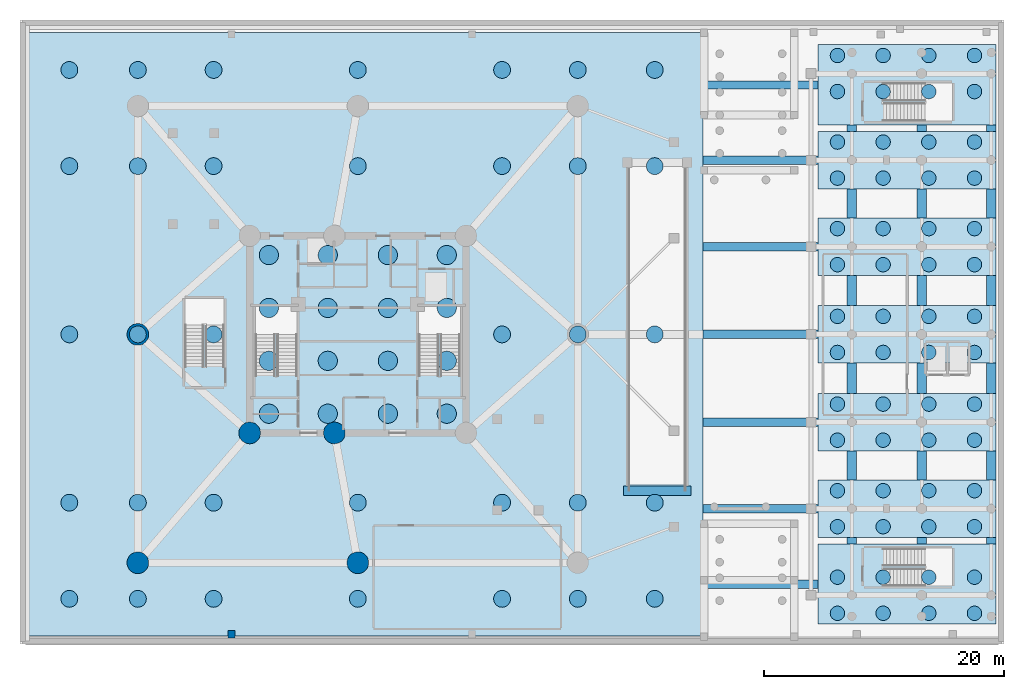
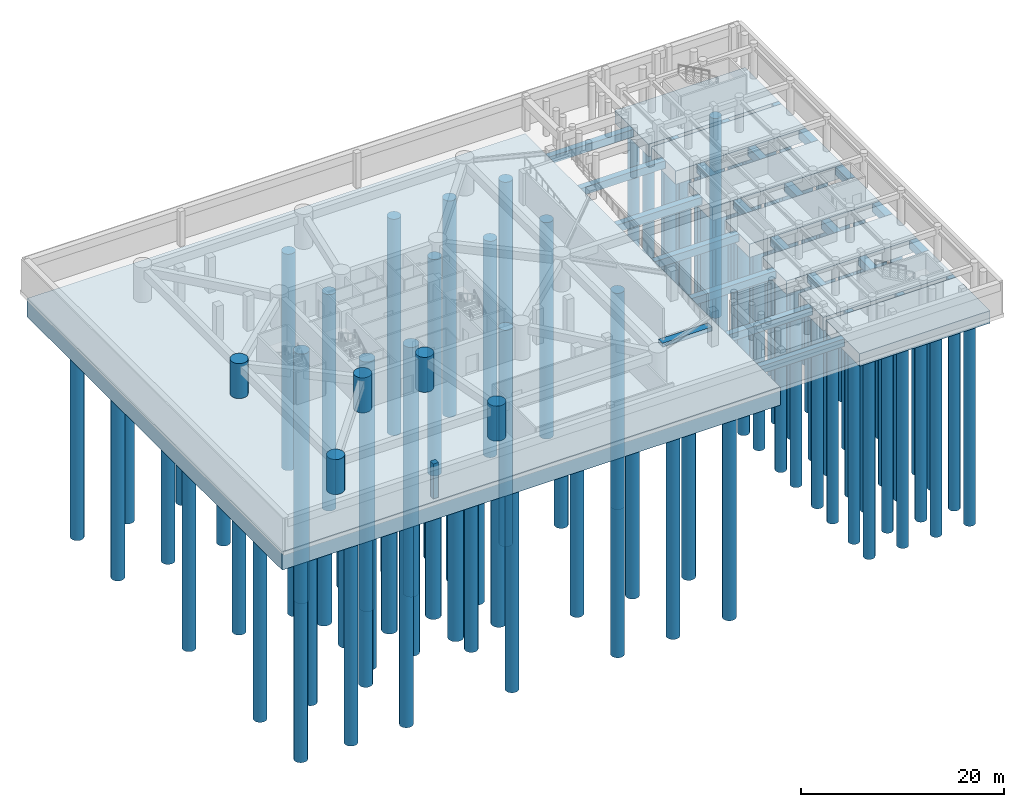
# One storey, part 1 of 13: 106 piles, 34 footings, 6 columns.
"""IFC4 building model written with IfcOpenShell, lengths in metres."""

from ifc_helpers import new_model, si_unit, direction, frame, origin, origin_with_axes, origin_2d, place, context, subcontext, project, spatial, polyline, rectangle, circle, outline, extrude, source, transform, mapped, material, layer, layer_set, material_profile, profile_set, type_object, element, save


model = new_model("IFC4")

# Units and contexts
model_context = context("Model", 3, precision=1e-05, world=origin(), true_north=direction((0.0, 1.0)))
body_context = subcontext(model_context, "Body", "Model", "MODEL_VIEW")
ifc_project = project(units=[si_unit("LENGTHUNIT", "METRE"), si_unit("AREAUNIT", "SQUARE_METRE"), si_unit("VOLUMEUNIT", "CUBIC_METRE"), si_unit("PLANEANGLEUNIT", "RADIAN"), si_unit("MASSUNIT", "GRAM", prefix="KILO")], contexts=[model_context])

# Site, building, storey
site_placement = place(None, origin())
site = spatial("IfcSite", under=ifc_project, at=site_placement, CompositionType="ELEMENT")
building_placement = place(site_placement, origin())
building = spatial("IfcBuilding", under=site, at=building_placement, Name="Karkom Vertical University and Central Library", CompositionType="ELEMENT")
storey_placement = place(building_placement, frame((0.0, 0.0, -8.39990234375)))
storey = spatial("IfcBuildingStorey", under=building, at=storey_placement, Name="B02", CompositionType="ELEMENT", Elevation=-8.39990234375)

# Footings
ifc_material_1 = material(Name="Concrete C45/55", Category="concrete")
ifc_layer_1 = layer(ifc_material_1, 1.60009765625)
ifc_layer_set_1 = layer_set([ifc_layer_1], Name="Concrete C45/55")
footing_type_1 = type_object("IfcFootingType", Name="STR-FT-PC1-1600", PredefinedType="PILE_CAP", material=ifc_layer_set_1)
footing_1_placement = place(storey_placement, frame((0.0, 0.0, -2.050048828125)))
element("IfcFooting", 1, at=footing_1_placement, inside=storey, type_object=footing_type_1, Name="Library Combined Pile Cap 02", PredefinedType="PILE_CAP", context=body_context, shape_type="SweptSolid", body=[
    extrude(outline(polyline([(66.800048828125, 9.60009765625), (81.60009765625, 9.60009765625), (81.60009765625, 14.39990234375), (66.800048828125, 14.39990234375), (66.800048828125, 9.60009765625)])), origin(), (0.0, 0.0, 1.0), 1.599853515625),
])
footing_2_placement = place(storey_placement, frame((0.0, 0.0, -2.050048828125)))
element("IfcFooting", 2, at=footing_2_placement, inside=storey, type_object=footing_type_1, Name="Library Combined Pile Cap 03", PredefinedType="PILE_CAP", context=body_context, shape_type="SweptSolid", body=[
    extrude(outline(polyline([(66.800048828125, 16.800048828125), (81.60009765625, 16.800048828125), (81.60009765625, 21.60009765625), (66.800048828125, 21.60009765625), (66.800048828125, 16.800048828125)])), origin(), (0.0, 0.0, 1.0), 1.599853515625),
])
footing_3_placement = place(storey_placement, frame((0.0, 0.0, -2.050048828125)))
element("IfcFooting", 3, at=footing_3_placement, inside=storey, type_object=footing_type_1, Name="Library Combined Pile Cap 04", PredefinedType="PILE_CAP", context=body_context, shape_type="SweptSolid", body=[
    extrude(outline(polyline([(66.800048828125, 24.10009765625), (81.60009765625, 24.10009765625), (81.60009765625, 28.89990234375), (66.800048828125, 28.89990234375), (66.800048828125, 24.10009765625)])), origin(), (0.0, 0.0, 1.0), 1.599853515625),
])
footing_4_placement = place(storey_placement, frame((0.0, 0.0, -2.050048828125)))
element("IfcFooting", 4, at=footing_4_placement, inside=storey, type_object=footing_type_1, Name="Library Combined Pile Cap 05", PredefinedType="PILE_CAP", context=body_context, shape_type="SweptSolid", body=[
    extrude(outline(polyline([(66.800048828125, 31.39990234375), (81.60009765625, 31.39990234375), (81.60009765625, 36.199951171875), (66.800048828125, 36.199951171875), (66.800048828125, 31.39990234375)])), origin(), (0.0, 0.0, 1.0), 1.599853515625),
])
footing_5_placement = place(storey_placement, frame((0.0, 0.0, -2.050048828125)))
element("IfcFooting", 5, at=footing_5_placement, inside=storey, type_object=footing_type_1, Name="Library Combined Pile Cap 06", PredefinedType="PILE_CAP", context=body_context, shape_type="SweptSolid", body=[
    extrude(outline(polyline([(66.800048828125, 38.60009765625), (81.60009765625, 38.60009765625), (81.60009765625, 43.39990234375), (66.800048828125, 43.39990234375), (66.800048828125, 38.60009765625)])), origin(), (0.0, 0.0, 1.0), 1.599853515625),
])
ifc_layer_2 = layer(ifc_material_1, 1.5)
ifc_layer_set_2 = layer_set([ifc_layer_2], Name="Concrete C45/55")
footing_type_2 = type_object("IfcFootingType", Name="STR-FT-PC2-1500", PredefinedType="PILE_CAP", material=ifc_layer_set_2)
footing_6_placement = place(storey_placement, frame((0.0, 0.0, -1.9501953125)))
element("IfcFooting", 6, at=footing_6_placement, inside=storey, type_object=footing_type_2, Name="Library Combined Pile Cap 01", PredefinedType="PILE_CAP", context=body_context, shape_type="SweptSolid", body=[
    extrude(outline(polyline([(66.800048828125, 2.39990234375), (81.60009765625, 2.39990234375), (81.60009765625, 9.050048828125), (66.800048828125, 9.050048828125), (66.800048828125, 2.39990234375)])), origin(), (0.0, 0.0, 1.0), 1.5),
])
footing_7_placement = place(storey_placement, frame((0.0, 0.0, -1.9501953125)))
element("IfcFooting", 7, at=footing_7_placement, inside=storey, type_object=footing_type_2, Name="Library Combined Pile Cap 07", PredefinedType="PILE_CAP", context=body_context, shape_type="SweptSolid", body=[
    extrude(outline(polyline([(66.800048828125, 43.89990234375), (81.60009765625, 43.89990234375), (81.60009765625, 50.60009765625), (66.800048828125, 50.60009765625), (66.800048828125, 43.89990234375)])), origin(), (0.0, 0.0, 1.0), 1.5),
])
ifc_material_2 = material(Name="Concrete C50/60", Category="concrete")
ifc_layer_3 = layer(ifc_material_2, 2.199951171875)
ifc_layer_set_3 = layer_set([ifc_layer_3], Name="Concrete C50/60")
footing_type_3 = type_object("IfcFootingType", Name="STR-FT-RAFT-2200", PredefinedType="CAISSON_FOUNDATION", material=ifc_layer_set_3)
footing_8_placement = place(storey_placement, frame((0.0, 0.0, -2.650146484375)))
element("IfcFooting", 8, at=footing_8_placement, inside=storey, type_object=footing_type_3, Name="Tower Cellular Piled Raft FT-1", PredefinedType="CAISSON_FOUNDATION", context=body_context, shape_type="SweptSolid", body=[
    extrude(outline(polyline([(0.60009765625, 1.39990234375), (57.199951171875, 1.39990234375), (57.199951171875, 51.60009765625), (0.60009765625, 51.60009765625), (0.60009765625, 1.39990234375)])), origin(), (0.0, 0.0, 1.0), 2.199951171875),
])

# Piles
ifc_material_3 = material(Name="Concrete C40/50", Category="concrete")
ifc_material_profile_1 = material_profile(ifc_material_3, circle(Radius=0.800048828125, at=origin_2d()), Name="PILE-D1600")
ifc_profile_set_1 = profile_set([ifc_material_profile_1], Name="Concrete C40/50")
pile_type_1 = type_object("IfcPileType", Name="STR-PILE-PL-1", PredefinedType="BORED", material=ifc_profile_set_1)
shared_shape_1 = source(origin_with_axes(), body_context, "Body", "SweptSolid", [
    extrude(circle(Radius=0.800048828125, at=origin_2d()), origin(), (0.0, 0.0, 1.0), 30.0),
])
for number, where, z_axis, x_axis, name in (
    (9, (21.10009765625, 19.89990234375, -2.550048828125), (0.0, 0.0, -1.0), (1.0, 0.0, 0.0), "Tower Core Bored Pile PL-1-01"),
    (10, (21.10009765625, 24.300048828125, -2.550048828125), (0.0, 0.0, -1.0), (1.0, 0.0, 0.0), "Tower Core Bored Pile PL-1-02"),
    (11, (21.10009765625, 28.699951171875, -2.550048828125), (0.0, 0.0, -1.0), (1.0, 0.0, 0.0), "Tower Core Bored Pile PL-1-03"),
    (12, (21.10009765625, 33.10009765625, -2.550048828125), (0.0, 0.0, -1.0), (1.0, 0.0, 0.0), "Tower Core Bored Pile PL-1-04"),
    (13, (26.0, 19.89990234375, -2.550048828125), (0.0, 0.0, -1.0), (1.0, 0.0, 0.0), "Tower Core Bored Pile PL-1-05"),
    (14, (26.0, 24.300048828125, -2.550048828125), (0.0, 0.0, -1.0), (1.0, 0.0, 0.0), "Tower Core Bored Pile PL-1-06"),
    (15, (26.0, 28.699951171875, -2.550048828125), (0.0, 0.0, -1.0), (1.0, 0.0, 0.0), "Tower Core Bored Pile PL-1-07"),
    (16, (26.0, 33.10009765625, -2.550048828125), (0.0, 0.0, -1.0), (1.0, 0.0, 0.0), "Tower Core Bored Pile PL-1-08"),
    (17, (31.0, 19.89990234375, -2.550048828125), (0.0, 0.0, -1.0), (1.0, 0.0, 0.0), "Tower Core Bored Pile PL-1-09"),
    (18, (31.0, 24.300048828125, -2.550048828125), (0.0, 0.0, -1.0), (1.0, 0.0, 0.0), "Tower Core Bored Pile PL-1-10"),
    (19, (31.0, 28.699951171875, -2.550048828125), (0.0, 0.0, -1.0), (1.0, 0.0, 0.0), "Tower Core Bored Pile PL-1-11"),
    (20, (31.0, 33.10009765625, -2.550048828125), (0.0, 0.0, -1.0), (1.0, 0.0, 0.0), "Tower Core Bored Pile PL-1-12"),
    (21, (35.89990234375, 19.89990234375, -2.550048828125), (0.0, 0.0, -1.0), (1.0, 0.0, 0.0), "Tower Core Bored Pile PL-1-13"),
    (22, (35.89990234375, 24.300048828125, -2.550048828125), (0.0, 0.0, -1.0), (1.0, 0.0, 0.0), "Tower Core Bored Pile PL-1-14"),
    (23, (35.89990234375, 28.699951171875, -2.550048828125), (0.0, 0.0, -1.0), (1.0, 0.0, 0.0), "Tower Core Bored Pile PL-1-15"),
    (24, (35.89990234375, 33.10009765625, -2.550048828125), (0.0, 0.0, -1.0), (1.0, 0.0, 0.0), "Tower Core Bored Pile PL-1-16"),
):
    element("IfcPile", number, at=place(storey_placement, frame(where, z_axis=z_axis, x_axis=x_axis)), inside=storey, type_object=pile_type_1, Name=name, PredefinedType="BORED", context=body_context, shape_type="MappedRepresentation", body=[
        mapped(shared_shape_1, transform((0.0, 0.0, 0.0), scale=1.0)),
    ])
ifc_material_profile_2 = material_profile(ifc_material_3, circle(Radius=0.699951171875, at=origin_2d()), Name="PILE-D1400")
ifc_profile_set_2 = profile_set([ifc_material_profile_2], Name="Concrete C40/50")
pile_type_2 = type_object("IfcPileType", Name="STR-PILE-PL-2", PredefinedType="BORED", material=ifc_profile_set_2)
shared_shape_2 = source(origin_with_axes(), body_context, "Body", "SweptSolid", [
    extrude(circle(Radius=0.699951171875, at=origin_2d()), origin(), (0.0, 0.0, 1.0), 26.0),
])
for number, where, z_axis, x_axis, name in (
    (25, (4.5, 4.5, -2.550048828125), (0.0, 0.0, -1.0), (1.0, 0.0, 0.0), "Tower Raft Bored Pile PL-2-01"),
    (26, (4.5, 12.5, -2.550048828125), (0.0, 0.0, -1.0), (1.0, 0.0, 0.0), "Tower Raft Bored Pile PL-2-02"),
    (27, (4.5, 26.5, -2.550048828125), (0.0, 0.0, -1.0), (1.0, 0.0, 0.0), "Tower Raft Bored Pile PL-2-03"),
    (28, (4.5, 40.5, -2.550048828125), (0.0, 0.0, -1.0), (1.0, 0.0, 0.0), "Tower Raft Bored Pile PL-2-04"),
    (29, (4.5, 48.5, -2.550048828125), (0.0, 0.0, -1.0), (1.0, 0.0, 0.0), "Tower Raft Bored Pile PL-2-05"),
    (30, (10.199951171875, 4.5, -2.550048828125), (0.0, 0.0, -1.0), (1.0, 0.0, 0.0), "Tower Raft Bored Pile PL-2-06"),
    (31, (10.199951171875, 12.5, -2.550048828125), (0.0, 0.0, -1.0), (1.0, 0.0, 0.0), "Tower Raft Bored Pile PL-2-07"),
    (32, (10.199951171875, 26.5, -2.550048828125), (0.0, 0.0, -1.0), (1.0, 0.0, 0.0), "Tower Raft Bored Pile PL-2-08"),
    (33, (10.199951171875, 40.5, -2.550048828125), (0.0, 0.0, -1.0), (1.0, 0.0, 0.0), "Tower Raft Bored Pile PL-2-09"),
    (34, (10.199951171875, 48.5, -2.550048828125), (0.0, 0.0, -1.0), (1.0, 0.0, 0.0), "Tower Raft Bored Pile PL-2-10"),
    (35, (16.5, 4.5, -2.550048828125), (0.0, 0.0, -1.0), (1.0, 0.0, 0.0), "Tower Raft Bored Pile PL-2-11"),
    (36, (16.5, 12.5, -2.550048828125), (0.0, 0.0, -1.0), (1.0, 0.0, 0.0), "Tower Raft Bored Pile PL-2-12"),
    (37, (16.5, 26.5, -2.550048828125), (0.0, 0.0, -1.0), (1.0, 0.0, 0.0), "Tower Raft Bored Pile PL-2-13"),
    (38, (16.5, 40.5, -2.550048828125), (0.0, 0.0, -1.0), (1.0, 0.0, 0.0), "Tower Raft Bored Pile PL-2-14"),
    (39, (16.5, 48.5, -2.550048828125), (0.0, 0.0, -1.0), (1.0, 0.0, 0.0), "Tower Raft Bored Pile PL-2-15"),
    (40, (28.5, 4.5, -2.550048828125), (0.0, 0.0, -1.0), (1.0, 0.0, 0.0), "Tower Raft Bored Pile PL-2-16"),
    (41, (28.5, 12.5, -2.550048828125), (0.0, 0.0, -1.0), (1.0, 0.0, 0.0), "Tower Raft Bored Pile PL-2-17"),
    (42, (28.5, 40.5, -2.550048828125), (0.0, 0.0, -1.0), (1.0, 0.0, 0.0), "Tower Raft Bored Pile PL-2-18"),
    (43, (28.5, 48.5, -2.550048828125), (0.0, 0.0, -1.0), (1.0, 0.0, 0.0), "Tower Raft Bored Pile PL-2-19"),
    (44, (40.5, 4.5, -2.550048828125), (0.0, 0.0, -1.0), (1.0, 0.0, 0.0), "Tower Raft Bored Pile PL-2-20"),
    (45, (40.5, 12.5, -2.550048828125), (0.0, 0.0, -1.0), (1.0, 0.0, 0.0), "Tower Raft Bored Pile PL-2-21"),
    (46, (40.5, 26.5, -2.550048828125), (0.0, 0.0, -1.0), (1.0, 0.0, 0.0), "Tower Raft Bored Pile PL-2-22"),
    (47, (40.5, 40.5, -2.550048828125), (0.0, 0.0, -1.0), (1.0, 0.0, 0.0), "Tower Raft Bored Pile PL-2-23"),
    (48, (40.5, 48.5, -2.550048828125), (0.0, 0.0, -1.0), (1.0, 0.0, 0.0), "Tower Raft Bored Pile PL-2-24"),
    (49, (46.800048828125, 4.5, -2.550048828125), (0.0, 0.0, -1.0), (1.0, 0.0, 0.0), "Tower Raft Bored Pile PL-2-25"),
    (50, (46.800048828125, 12.5, -2.550048828125), (0.0, 0.0, -1.0), (1.0, 0.0, 0.0), "Tower Raft Bored Pile PL-2-26"),
    (51, (46.800048828125, 26.5, -2.550048828125), (0.0, 0.0, -1.0), (1.0, 0.0, 0.0), "Tower Raft Bored Pile PL-2-27"),
    (52, (46.800048828125, 40.5, -2.550048828125), (0.0, 0.0, -1.0), (1.0, 0.0, 0.0), "Tower Raft Bored Pile PL-2-28"),
    (53, (46.800048828125, 48.5, -2.550048828125), (0.0, 0.0, -1.0), (1.0, 0.0, 0.0), "Tower Raft Bored Pile PL-2-29"),
    (54, (53.199951171875, 4.5, -2.550048828125), (0.0, 0.0, -1.0), (1.0, 0.0, 0.0), "Tower Raft Bored Pile PL-2-30"),
    (55, (53.199951171875, 12.5, -2.550048828125), (0.0, 0.0, -1.0), (1.0, 0.0, 0.0), "Tower Raft Bored Pile PL-2-31"),
    (56, (53.199951171875, 26.5, -2.550048828125), (0.0, 0.0, -1.0), (1.0, 0.0, 0.0), "Tower Raft Bored Pile PL-2-32"),
    (57, (53.199951171875, 40.5, -2.550048828125), (0.0, 0.0, -1.0), (1.0, 0.0, 0.0), "Tower Raft Bored Pile PL-2-33"),
    (58, (53.199951171875, 48.5, -2.550048828125), (0.0, 0.0, -1.0), (1.0, 0.0, 0.0), "Tower Raft Bored Pile PL-2-34"),
):
    element("IfcPile", number, at=place(storey_placement, frame(where, z_axis=z_axis, x_axis=x_axis)), inside=storey, type_object=pile_type_2, Name=name, PredefinedType="BORED", context=body_context, shape_type="MappedRepresentation", body=[
        mapped(shared_shape_2, transform((0.0, 0.0, 0.0), scale=1.0)),
    ])
ifc_material_profile_3 = material_profile(ifc_material_3, circle(Radius=0.60009765625, at=origin_2d()), Name="PILE-D1200")
ifc_profile_set_3 = profile_set([ifc_material_profile_3], Name="Concrete C40/50")
pile_type_3 = type_object("IfcPileType", Name="STR-PILE-PL-3", PredefinedType="BORED", material=ifc_profile_set_3)
shared_shape_3 = source(origin_with_axes(), body_context, "Body", "SweptSolid", [
    extrude(circle(Radius=0.60009765625, at=origin_2d()), origin(), (0.0, 0.0, 1.0), 24.0),
])
for number, where, z_axis, x_axis, name in (
    (59, (68.39990234375, 3.300048828125, -1.85009765625), (0.0, 0.0, -1.0), (1.0, 0.0, 0.0), "Library Bored Pile PL-3-01-11"),
    (60, (68.39990234375, 6.300048828125, -1.85009765625), (0.0, 0.0, -1.0), (1.0, 0.0, 0.0), "Library Bored Pile PL-3-01-12"),
    (61, (72.199951171875, 3.300048828125, -1.85009765625), (0.0, 0.0, -1.0), (1.0, 0.0, 0.0), "Library Bored Pile PL-3-01-21"),
    (62, (72.199951171875, 6.300048828125, -1.85009765625), (0.0, 0.0, -1.0), (1.0, 0.0, 0.0), "Library Bored Pile PL-3-01-22"),
    (63, (76.0, 3.300048828125, -1.85009765625), (0.0, 0.0, -1.0), (1.0, 0.0, 0.0), "Library Bored Pile PL-3-01-31"),
    (64, (76.0, 6.300048828125, -1.85009765625), (0.0, 0.0, -1.0), (1.0, 0.0, 0.0), "Library Bored Pile PL-3-01-32"),
    (65, (79.800048828125, 3.300048828125, -1.85009765625), (0.0, 0.0, -1.0), (1.0, 0.0, 0.0), "Library Bored Pile PL-3-01-41"),
    (66, (79.800048828125, 6.300048828125, -1.85009765625), (0.0, 0.0, -1.0), (1.0, 0.0, 0.0), "Library Bored Pile PL-3-01-42"),
    (67, (68.39990234375, 10.5, -1.9501953125), (0.0, 0.0, -1.0), (1.0, 0.0, 0.0), "Library Bored Pile PL-3-02-11"),
    (68, (68.39990234375, 13.5, -1.9501953125), (0.0, 0.0, -1.0), (1.0, 0.0, 0.0), "Library Bored Pile PL-3-02-12"),
    (69, (72.199951171875, 10.5, -1.9501953125), (0.0, 0.0, -1.0), (1.0, 0.0, 0.0), "Library Bored Pile PL-3-02-21"),
    (70, (72.199951171875, 13.5, -1.9501953125), (0.0, 0.0, -1.0), (1.0, 0.0, 0.0), "Library Bored Pile PL-3-02-22"),
    (71, (76.0, 10.5, -1.9501953125), (0.0, 0.0, -1.0), (1.0, 0.0, 0.0), "Library Bored Pile PL-3-02-31"),
    (72, (76.0, 13.5, -1.9501953125), (0.0, 0.0, -1.0), (1.0, 0.0, 0.0), "Library Bored Pile PL-3-02-32"),
    (73, (79.800048828125, 10.5, -1.9501953125), (0.0, 0.0, -1.0), (1.0, 0.0, 0.0), "Library Bored Pile PL-3-02-41"),
    (74, (79.800048828125, 13.5, -1.9501953125), (0.0, 0.0, -1.0), (1.0, 0.0, 0.0), "Library Bored Pile PL-3-02-42"),
    (75, (68.39990234375, 17.699951171875, -1.9501953125), (0.0, 0.0, -1.0), (1.0, 0.0, 0.0), "Library Bored Pile PL-3-03-11"),
    (76, (68.39990234375, 20.699951171875, -1.9501953125), (0.0, 0.0, -1.0), (1.0, 0.0, 0.0), "Library Bored Pile PL-3-03-12"),
    (77, (72.199951171875, 17.699951171875, -1.9501953125), (0.0, 0.0, -1.0), (1.0, 0.0, 0.0), "Library Bored Pile PL-3-03-21"),
    (78, (72.199951171875, 20.699951171875, -1.9501953125), (0.0, 0.0, -1.0), (1.0, 0.0, 0.0), "Library Bored Pile PL-3-03-22"),
    (79, (76.0, 17.699951171875, -1.9501953125), (0.0, 0.0, -1.0), (1.0, 0.0, 0.0), "Library Bored Pile PL-3-03-31"),
    (80, (76.0, 20.699951171875, -1.9501953125), (0.0, 0.0, -1.0), (1.0, 0.0, 0.0), "Library Bored Pile PL-3-03-32"),
    (81, (79.800048828125, 17.699951171875, -1.9501953125), (0.0, 0.0, -1.0), (1.0, 0.0, 0.0), "Library Bored Pile PL-3-03-41"),
    (82, (79.800048828125, 20.699951171875, -1.9501953125), (0.0, 0.0, -1.0), (1.0, 0.0, 0.0), "Library Bored Pile PL-3-03-42"),
    (83, (68.39990234375, 25.0, -1.9501953125), (0.0, 0.0, -1.0), (1.0, 0.0, 0.0), "Library Bored Pile PL-3-04-11"),
    (84, (68.39990234375, 28.0, -1.9501953125), (0.0, 0.0, -1.0), (1.0, 0.0, 0.0), "Library Bored Pile PL-3-04-12"),
    (85, (72.199951171875, 25.0, -1.9501953125), (0.0, 0.0, -1.0), (1.0, 0.0, 0.0), "Library Bored Pile PL-3-04-21"),
    (86, (72.199951171875, 28.0, -1.9501953125), (0.0, 0.0, -1.0), (1.0, 0.0, 0.0), "Library Bored Pile PL-3-04-22"),
    (87, (76.0, 25.0, -1.9501953125), (0.0, 0.0, -1.0), (1.0, 0.0, 0.0), "Library Bored Pile PL-3-04-31"),
    (88, (76.0, 28.0, -1.9501953125), (0.0, 0.0, -1.0), (1.0, 0.0, 0.0), "Library Bored Pile PL-3-04-32"),
    (89, (79.800048828125, 25.0, -1.9501953125), (0.0, 0.0, -1.0), (1.0, 0.0, 0.0), "Library Bored Pile PL-3-04-41"),
    (90, (79.800048828125, 28.0, -1.9501953125), (0.0, 0.0, -1.0), (1.0, 0.0, 0.0), "Library Bored Pile PL-3-04-42"),
    (91, (68.39990234375, 32.300048828125, -1.9501953125), (0.0, 0.0, -1.0), (1.0, 0.0, 0.0), "Library Bored Pile PL-3-05-11"),
    (92, (68.39990234375, 35.300048828125, -1.9501953125), (0.0, 0.0, -1.0), (1.0, 0.0, 0.0), "Library Bored Pile PL-3-05-12"),
    (93, (72.199951171875, 32.300048828125, -1.9501953125), (0.0, 0.0, -1.0), (1.0, 0.0, 0.0), "Library Bored Pile PL-3-05-21"),
    (94, (72.199951171875, 35.300048828125, -1.9501953125), (0.0, 0.0, -1.0), (1.0, 0.0, 0.0), "Library Bored Pile PL-3-05-22"),
    (95, (76.0, 32.300048828125, -1.9501953125), (0.0, 0.0, -1.0), (1.0, 0.0, 0.0), "Library Bored Pile PL-3-05-31"),
    (96, (76.0, 35.300048828125, -1.9501953125), (0.0, 0.0, -1.0), (1.0, 0.0, 0.0), "Library Bored Pile PL-3-05-32"),
    (97, (79.800048828125, 32.300048828125, -1.9501953125), (0.0, 0.0, -1.0), (1.0, 0.0, 0.0), "Library Bored Pile PL-3-05-41"),
    (98, (79.800048828125, 35.300048828125, -1.9501953125), (0.0, 0.0, -1.0), (1.0, 0.0, 0.0), "Library Bored Pile PL-3-05-42"),
    (99, (68.39990234375, 39.5, -1.9501953125), (0.0, 0.0, -1.0), (1.0, 0.0, 0.0), "Library Bored Pile PL-3-06-11"),
    (100, (68.39990234375, 42.5, -1.9501953125), (0.0, 0.0, -1.0), (1.0, 0.0, 0.0), "Library Bored Pile PL-3-06-12"),
    (101, (72.199951171875, 39.5, -1.9501953125), (0.0, 0.0, -1.0), (1.0, 0.0, 0.0), "Library Bored Pile PL-3-06-21"),
    (102, (72.199951171875, 42.5, -1.9501953125), (0.0, 0.0, -1.0), (1.0, 0.0, 0.0), "Library Bored Pile PL-3-06-22"),
    (103, (76.0, 39.5, -1.9501953125), (0.0, 0.0, -1.0), (1.0, 0.0, 0.0), "Library Bored Pile PL-3-06-31"),
    (104, (76.0, 42.5, -1.9501953125), (0.0, 0.0, -1.0), (1.0, 0.0, 0.0), "Library Bored Pile PL-3-06-32"),
    (105, (79.800048828125, 39.5, -1.9501953125), (0.0, 0.0, -1.0), (1.0, 0.0, 0.0), "Library Bored Pile PL-3-06-41"),
    (106, (79.800048828125, 42.5, -1.9501953125), (0.0, 0.0, -1.0), (1.0, 0.0, 0.0), "Library Bored Pile PL-3-06-42"),
    (107, (68.39990234375, 46.699951171875, -1.85009765625), (0.0, 0.0, -1.0), (1.0, 0.0, 0.0), "Library Bored Pile PL-3-07-11"),
    (108, (68.39990234375, 49.699951171875, -1.85009765625), (0.0, 0.0, -1.0), (1.0, 0.0, 0.0), "Library Bored Pile PL-3-07-12"),
    (109, (72.199951171875, 46.699951171875, -1.85009765625), (0.0, 0.0, -1.0), (1.0, 0.0, 0.0), "Library Bored Pile PL-3-07-21"),
    (110, (72.199951171875, 49.699951171875, -1.85009765625), (0.0, 0.0, -1.0), (1.0, 0.0, 0.0), "Library Bored Pile PL-3-07-22"),
    (111, (76.0, 46.699951171875, -1.85009765625), (0.0, 0.0, -1.0), (1.0, 0.0, 0.0), "Library Bored Pile PL-3-07-31"),
    (112, (76.0, 49.699951171875, -1.85009765625), (0.0, 0.0, -1.0), (1.0, 0.0, 0.0), "Library Bored Pile PL-3-07-32"),
    (113, (79.800048828125, 46.699951171875, -1.85009765625), (0.0, 0.0, -1.0), (1.0, 0.0, 0.0), "Library Bored Pile PL-3-07-41"),
    (114, (79.800048828125, 49.699951171875, -1.85009765625), (0.0, 0.0, -1.0), (1.0, 0.0, 0.0), "Library Bored Pile PL-3-07-42"),
):
    element("IfcPile", number, at=place(storey_placement, frame(where, z_axis=z_axis, x_axis=x_axis)), inside=storey, type_object=pile_type_3, Name=name, PredefinedType="BORED", context=body_context, shape_type="MappedRepresentation", body=[
        mapped(shared_shape_3, transform((0.0, 0.0, 0.0), scale=1.0)),
    ])

# Footings
ifc_material_profile_4 = material_profile(ifc_material_1, rectangle(XDim=0.800048828125, YDim=1.0, at=origin_2d()), Name="GB-800x1000")
ifc_profile_set_4 = profile_set([ifc_material_profile_4], Name="Concrete C45/55")
footing_type_4 = type_object("IfcFootingType", Name="STR-FT-GB1", PredefinedType="FOOTING_BEAM", material=ifc_profile_set_4)
shared_shape_4 = source(origin_with_axes(), body_context, "Body", "SweptSolid", [
    extrude(rectangle(XDim=0.800048828125, YDim=1.0, at=origin_2d()), origin(), (0.0, 0.0, 1.0), 0.550048828125),
])
for number, where, z_axis, x_axis, name in (
    (115, (69.60009765625, 9.050048828125, -0.9501953125), (0.0, 1.0, 0.0), (-1.0, 0.0, 0.0), "Library Longitudinal Tie Ground Beam GB-01"),
    (116, (75.39990234375, 9.050048828125, -0.9501953125), (0.0, 1.0, 0.0), (-1.0, 0.0, 0.0), "Library Longitudinal Tie Ground Beam GB-07"),
    (117, (81.199951171875, 9.050048828125, -0.9501953125), (0.0, 1.0, 0.0), (-1.0, 0.0, 0.0), "Library Longitudinal Tie Ground Beam GB-13"),
):
    element("IfcFooting", number, at=place(storey_placement, frame(where, z_axis=z_axis, x_axis=x_axis)), inside=storey, type_object=footing_type_4, Name=name, PredefinedType="FOOTING_BEAM", context=body_context, shape_type="MappedRepresentation", body=[
        mapped(shared_shape_4, transform((0.0, 0.0, 0.0), scale=1.0)),
    ])
shared_shape_5 = source(origin_with_axes(), body_context, "Body", "SweptSolid", [
    extrude(rectangle(XDim=0.800048828125, YDim=1.0, at=origin_2d()), origin(), (0.0, 0.0, 1.0), 2.400146484375),
])
for number, where, z_axis, x_axis, name in (
    (118, (69.60009765625, 14.39990234375, -0.9501953125), (0.0, 1.0, 0.0), (-1.0, 0.0, 0.0), "Library Longitudinal Tie Ground Beam GB-02"),
    (119, (69.60009765625, 36.199951171875, -0.9501953125), (0.0, 1.0, 0.0), (-1.0, 0.0, 0.0), "Library Longitudinal Tie Ground Beam GB-05"),
    (120, (75.39990234375, 14.39990234375, -0.9501953125), (0.0, 1.0, 0.0), (-1.0, 0.0, 0.0), "Library Longitudinal Tie Ground Beam GB-08"),
    (121, (75.39990234375, 36.199951171875, -0.9501953125), (0.0, 1.0, 0.0), (-1.0, 0.0, 0.0), "Library Longitudinal Tie Ground Beam GB-11"),
    (122, (81.199951171875, 14.39990234375, -0.9501953125), (0.0, 1.0, 0.0), (-1.0, 0.0, 0.0), "Library Longitudinal Tie Ground Beam GB-14"),
    (123, (81.199951171875, 36.199951171875, -0.9501953125), (0.0, 1.0, 0.0), (-1.0, 0.0, 0.0), "Library Longitudinal Tie Ground Beam GB-17"),
):
    element("IfcFooting", number, at=place(storey_placement, frame(where, z_axis=z_axis, x_axis=x_axis)), inside=storey, type_object=footing_type_4, Name=name, PredefinedType="FOOTING_BEAM", context=body_context, shape_type="MappedRepresentation", body=[
        mapped(shared_shape_5, transform((0.0, 0.0, 0.0), scale=1.0)),
    ])
shared_shape_6 = source(origin_with_axes(), body_context, "Body", "SweptSolid", [
    extrude(rectangle(XDim=0.800048828125, YDim=1.0, at=origin_2d()), origin(), (0.0, 0.0, 1.0), 2.5),
])
for number, where, z_axis, x_axis, name in (
    (124, (69.60009765625, 21.60009765625, -0.9501953125), (0.0, 1.0, 0.0), (-1.0, 0.0, 0.0), "Library Longitudinal Tie Ground Beam GB-03"),
    (125, (69.60009765625, 28.89990234375, -0.9501953125), (0.0, 1.0, 0.0), (-1.0, 0.0, 0.0), "Library Longitudinal Tie Ground Beam GB-04"),
    (126, (75.39990234375, 21.60009765625, -0.9501953125), (0.0, 1.0, 0.0), (-1.0, 0.0, 0.0), "Library Longitudinal Tie Ground Beam GB-09"),
    (127, (75.39990234375, 28.89990234375, -0.9501953125), (0.0, 1.0, 0.0), (-1.0, 0.0, 0.0), "Library Longitudinal Tie Ground Beam GB-10"),
    (128, (81.199951171875, 21.60009765625, -0.9501953125), (0.0, 1.0, 0.0), (-1.0, 0.0, 0.0), "Library Longitudinal Tie Ground Beam GB-15"),
    (129, (81.199951171875, 28.89990234375, -0.9501953125), (0.0, 1.0, 0.0), (-1.0, 0.0, 0.0), "Library Longitudinal Tie Ground Beam GB-16"),
):
    element("IfcFooting", number, at=place(storey_placement, frame(where, z_axis=z_axis, x_axis=x_axis)), inside=storey, type_object=footing_type_4, Name=name, PredefinedType="FOOTING_BEAM", context=body_context, shape_type="MappedRepresentation", body=[
        mapped(shared_shape_6, transform((0.0, 0.0, 0.0), scale=1.0)),
    ])
shared_shape_7 = source(origin_with_axes(), body_context, "Body", "SweptSolid", [
    extrude(rectangle(XDim=0.800048828125, YDim=1.0, at=origin_2d()), origin(), (0.0, 0.0, 1.0), 0.5),
])
for number, where, z_axis, x_axis, name in (
    (130, (69.60009765625, 43.39990234375, -0.9501953125), (0.0, 1.0, 0.0), (-1.0, 0.0, 0.0), "Library Longitudinal Tie Ground Beam GB-06"),
    (131, (75.39990234375, 43.39990234375, -0.9501953125), (0.0, 1.0, 0.0), (-1.0, 0.0, 0.0), "Library Longitudinal Tie Ground Beam GB-12"),
    (132, (81.199951171875, 43.39990234375, -0.9501953125), (0.0, 1.0, 0.0), (-1.0, 0.0, 0.0), "Library Longitudinal Tie Ground Beam GB-18"),
):
    element("IfcFooting", number, at=place(storey_placement, frame(where, z_axis=z_axis, x_axis=x_axis)), inside=storey, type_object=footing_type_4, Name=name, PredefinedType="FOOTING_BEAM", context=body_context, shape_type="MappedRepresentation", body=[
        mapped(shared_shape_7, transform((0.0, 0.0, 0.0), scale=1.0)),
    ])
ifc_material_profile_5 = material_profile(ifc_material_1, rectangle(XDim=0.699951171875, YDim=0.89990234375, at=origin_2d()), Name="GB-700x900")
ifc_profile_set_5 = profile_set([ifc_material_profile_5], Name="Concrete C45/55")
footing_type_5 = type_object("IfcFootingType", Name="STR-FT-GB2", PredefinedType="FOOTING_BEAM", material=ifc_profile_set_5)
shared_shape_8 = source(origin_with_axes(), body_context, "Body", "SweptSolid", [
    extrude(rectangle(XDim=0.699951171875, YDim=0.89990234375, at=origin_2d()), origin(), (0.0, 0.0, 1.0), 9.60009765625),
])
for number, where, z_axis, x_axis, name in (
    (133, (57.199951171875, 5.72509765625, -0.900146484375), (1.0, 0.0, 0.0), (0.0, 1.0, 0.0), "Substructure Joint Tie Beam GB-EW-01"),
    (134, (57.199951171875, 12.0, -0.900146484375), (1.0, 0.0, 0.0), (0.0, 1.0, 0.0), "Substructure Joint Tie Beam GB-EW-02"),
    (135, (57.199951171875, 19.199951171875, -0.900146484375), (1.0, 0.0, 0.0), (0.0, 1.0, 0.0), "Substructure Joint Tie Beam GB-EW-03"),
    (136, (57.199951171875, 26.5, -0.900146484375), (1.0, 0.0, 0.0), (0.0, 1.0, 0.0), "Substructure Joint Tie Beam GB-EW-04"),
    (137, (57.199951171875, 33.800048828125, -0.900146484375), (1.0, 0.0, 0.0), (0.0, 1.0, 0.0), "Substructure Joint Tie Beam GB-EW-05"),
    (138, (57.199951171875, 41.0, -0.900146484375), (1.0, 0.0, 0.0), (0.0, 1.0, 0.0), "Substructure Joint Tie Beam GB-EW-06"),
    (139, (57.199951171875, 47.25, -0.900146484375), (1.0, 0.0, 0.0), (0.0, 1.0, 0.0), "Substructure Joint Tie Beam GB-EW-07"),
):
    element("IfcFooting", number, at=place(storey_placement, frame(where, z_axis=z_axis, x_axis=x_axis)), inside=storey, type_object=footing_type_5, Name=name, PredefinedType="FOOTING_BEAM", context=body_context, shape_type="MappedRepresentation", body=[
        mapped(shared_shape_8, transform((0.0, 0.0, 0.0), scale=1.0)),
    ])
shared_shape_9 = source(origin_with_axes(), body_context, "Body", "SweptSolid", [
    extrude(rectangle(XDim=0.800048828125, YDim=1.0, at=origin_2d()), origin(), (0.0, 0.0, 1.0), 5.599853515625),
])
footing_9_placement = place(storey_placement, frame((50.60009765625, 13.5, -0.5), z_axis=(1.0, 0.0, 0.0), x_axis=(0.0, 1.0, 0.0)))
element("IfcFooting", 140, at=footing_9_placement, inside=storey, type_object=footing_type_4, Name="Basement 02 Vehicle Ramp Toe Bearing Ground Beam", PredefinedType="FOOTING_BEAM", context=body_context, shape_type="MappedRepresentation", body=[
    mapped(shared_shape_9, transform((0.0, 0.0, 0.0), scale=1.0)),
])

# Columns
ifc_material_profile_6 = material_profile(ifc_material_3, rectangle(XDim=0.60009765625, YDim=0.60009765625, at=origin_2d()), Name="RC-600x600")
ifc_profile_set_6 = profile_set([ifc_material_profile_6], Name="Concrete C40/50")
column_type_1 = type_object("IfcColumnType", Name="STR-COL-C-LC2", PredefinedType="COLUMN", material=ifc_profile_set_6)
shared_shape_10 = source(origin_with_axes(), body_context, "Body", "SweptSolid", [
    extrude(rectangle(XDim=0.60009765625, YDim=0.60009765625, at=origin_2d()), origin(), (0.0, 0.0, 1.0), 4.199951171875),
])
column_placement = place(storey_placement, frame((18.0, 1.550048828125, 0.0), z_axis=(0.0, 0.0, 1.0), x_axis=(1.0, 0.0, 0.0)))
element("IfcColumn", 141, at=column_placement, inside=storey, type_object=column_type_1, Name="Basement 02 Forecourt Promenade Support Column", PredefinedType="COLUMN", context=body_context, shape_type="MappedRepresentation", body=[
    mapped(shared_shape_10, transform((0.0, 0.0, 0.0), scale=1.0)),
])
ifc_material_profile_7 = material_profile(ifc_material_2, circle(Radius=0.89990234375, at=origin_2d()), Name="CFT-D1800")
ifc_profile_set_7 = profile_set([ifc_material_profile_7], Name="Concrete C50/60")
column_type_2 = type_object("IfcColumnType", Name="STR-COL-C-SC1", PredefinedType="COLUMN", material=ifc_profile_set_7)
shared_shape_11 = source(origin_with_axes(), body_context, "Body", "SweptSolid", [
    extrude(circle(Radius=0.89990234375, at=origin_2d()), origin(), (0.0, 0.0, 1.0), 4.199951171875),
])
for number, where, z_axis, x_axis, name in (
    (142, (19.5, 18.300048828125, 0.0), (0.0, 0.0, 1.0), (1.0, 0.0, 0.0), "Basement 02 Spine Mega-Column SC-1"),
    (143, (26.550048828125, 18.300048828125, 0.0), (0.0, 0.0, 1.0), (1.0, 0.0, 0.0), "Basement 02 Spine Mega-Column SC-2"),
    (144, (10.199951171875, 7.5, 0.0), (0.0, 0.0, 1.0), (1.0, 0.0, 0.0), "Basement 02 Podium Mega-Column PMC-1"),
    (145, (28.5, 7.5, 0.0), (0.0, 0.0, 1.0), (1.0, 0.0, 0.0), "Basement 02 Podium Mega-Column PMC-2"),
    (146, (10.199951171875, 26.5, 0.0), (0.0, 0.0, 1.0), (1.0, 0.0, 0.0), "Basement 02 Podium Mega-Column PMC-4"),
):
    element("IfcColumn", number, at=place(storey_placement, frame(where, z_axis=z_axis, x_axis=x_axis)), inside=storey, type_object=column_type_2, Name=name, PredefinedType="COLUMN", context=body_context, shape_type="MappedRepresentation", body=[
        mapped(shared_shape_11, transform((0.0, 0.0, 0.0), scale=1.0)),
    ])

save(model, "model.ifc")
